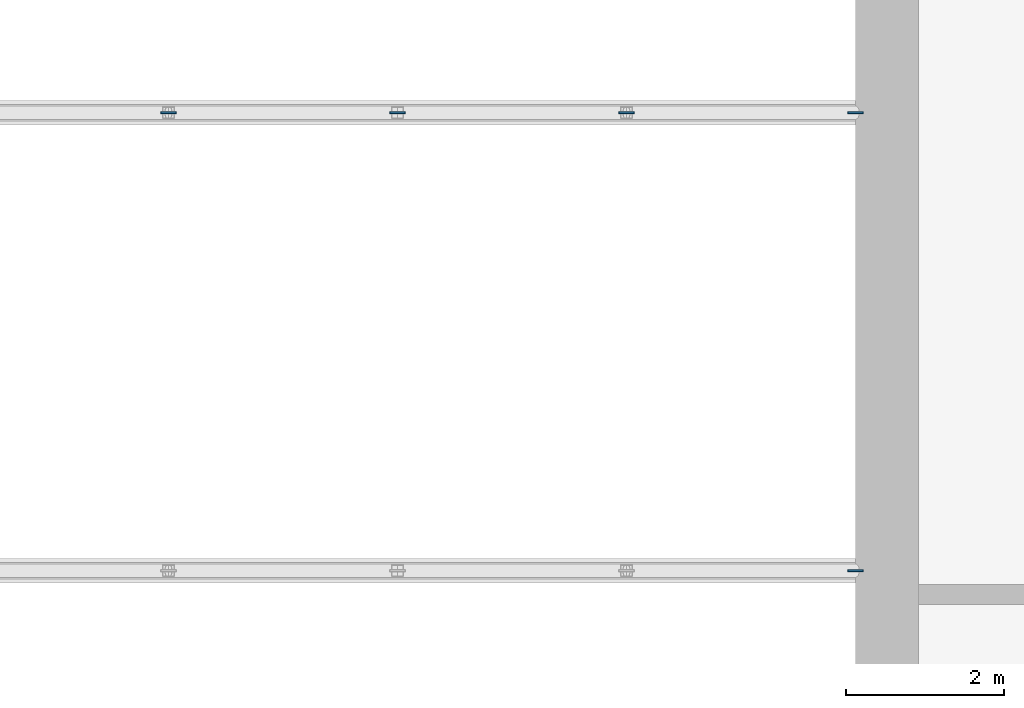
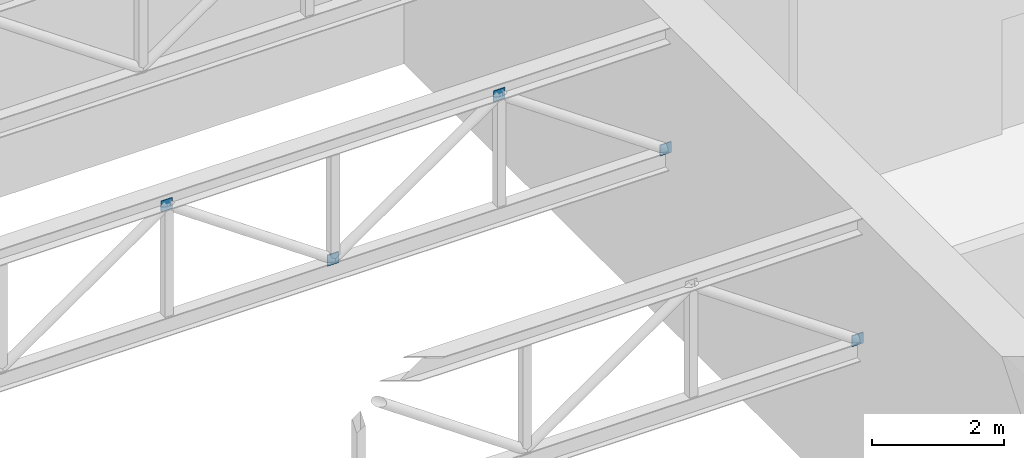
# One storey, part 13 of 35: 5 plates.
"""IFC4 building model written with IfcOpenShell, lengths in metres."""

from ifc_helpers import new_model, si_unit, direction, frame, origin, origin_2d, place, context, subcontext, project, spatial, rectangle, extrude, material, layer, layer_set, type_object, element, save


model = new_model("IFC4")

# Units and contexts
model_context = context("Model", 3, precision=1e-05, world=origin(), true_north=direction((0.0, 1.0)))
body_context = subcontext(model_context, "Body", "Model", "MODEL_VIEW")
ifc_project = project(units=[si_unit("LENGTHUNIT", "METRE"), si_unit("AREAUNIT", "SQUARE_METRE"), si_unit("VOLUMEUNIT", "CUBIC_METRE"), si_unit("PLANEANGLEUNIT", "RADIAN"), si_unit("MASSUNIT", "GRAM", prefix="KILO")], contexts=[model_context])

# Site, building, storey
site_placement = place(None, origin())
site = spatial("IfcSite", under=ifc_project, at=site_placement, CompositionType="ELEMENT")
building_placement = place(site_placement, origin())
building = spatial("IfcBuilding", under=site, at=building_placement, Name="Kiln Ring Residences", CompositionType="ELEMENT")
storey_placement = place(building_placement, frame((0.0, 0.0, 20.89990234375)))
storey = spatial("IfcBuildingStorey", under=building, at=storey_placement, Name="L04", CompositionType="ELEMENT", Elevation=20.89990234375)

# Plates
ifc_material = material(Name="Steel S460", Category="steel")
ifc_layer = layer(ifc_material, 0.02001953125)
ifc_layer_set = layer_set([ifc_layer], Name="Brace gusset plate 20")
plate_type = type_object("IfcPlateType", Name="Brace gusset plate 20", PredefinedType="SHEET", material=ifc_layer_set)
for number, where, z_axis, x_axis, name in (
    (1, (11.60009765625, -138.89990234375, 3.125), (0.0, 0.0, 1.0), (1.0, 0.0, 0.0), "Brace gusset plate 4.8"),
    (2, (2.89990234375, -133.10009765625, 5.14208984375), (0.0, 0.0, 1.0), (1.0, 0.0, 0.0), "Brace gusset plate 5.5"),
    (3, (5.800048828125, -133.10009765625, 3.125), (0.0, 0.0, 1.0), (1.0, 0.0, 0.0), "Brace gusset plate 5.6"),
    (4, (8.699951171875, -133.10009765625, 5.14208984375), (0.0, 0.0, 1.0), (1.0, 0.0, 0.0), "Brace gusset plate 5.7"),
    (5, (11.60009765625, -133.10009765625, 3.125), (0.0, 0.0, 1.0), (1.0, 0.0, 0.0), "Brace gusset plate 5.8"),
):
    element("IfcPlate", number, at=place(storey_placement, frame(where, z_axis=z_axis, x_axis=x_axis)), inside=storey, type_object=plate_type, Name=name, PredefinedType="SHEET", context=body_context, shape_type="SweptSolid", body=[
        extrude(rectangle(XDim=0.199951171875, YDim=0.02001953125, at=origin_2d()), origin(), (0.0, 0.0, 1.0), 0.199951171875),
    ])

save(model, "model.ifc")
